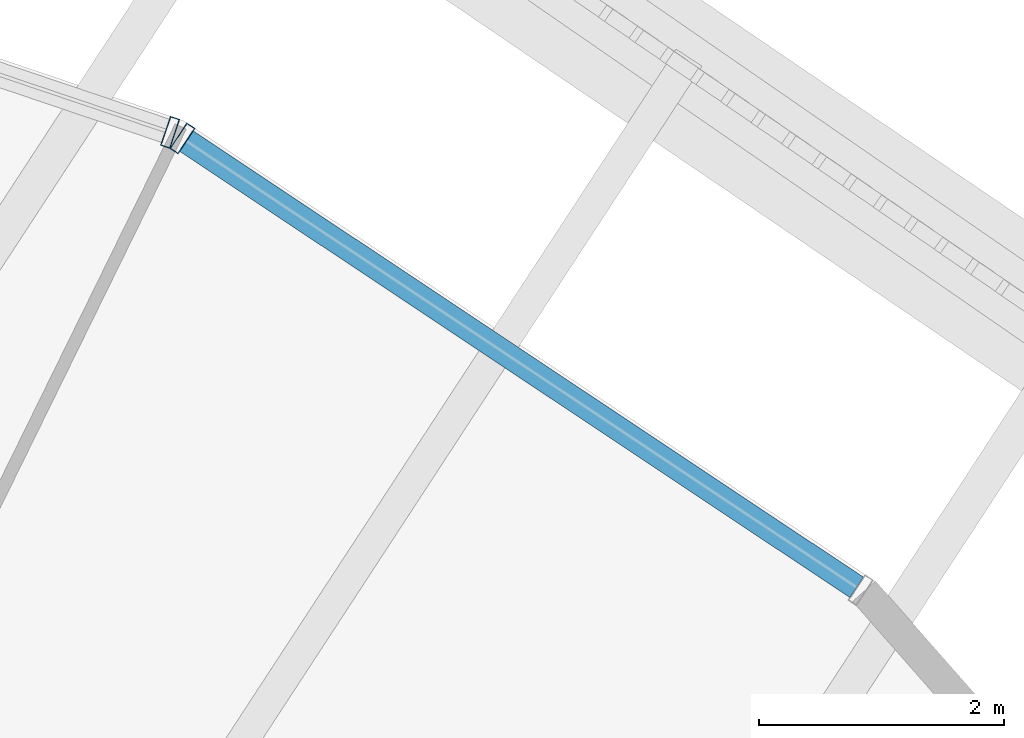
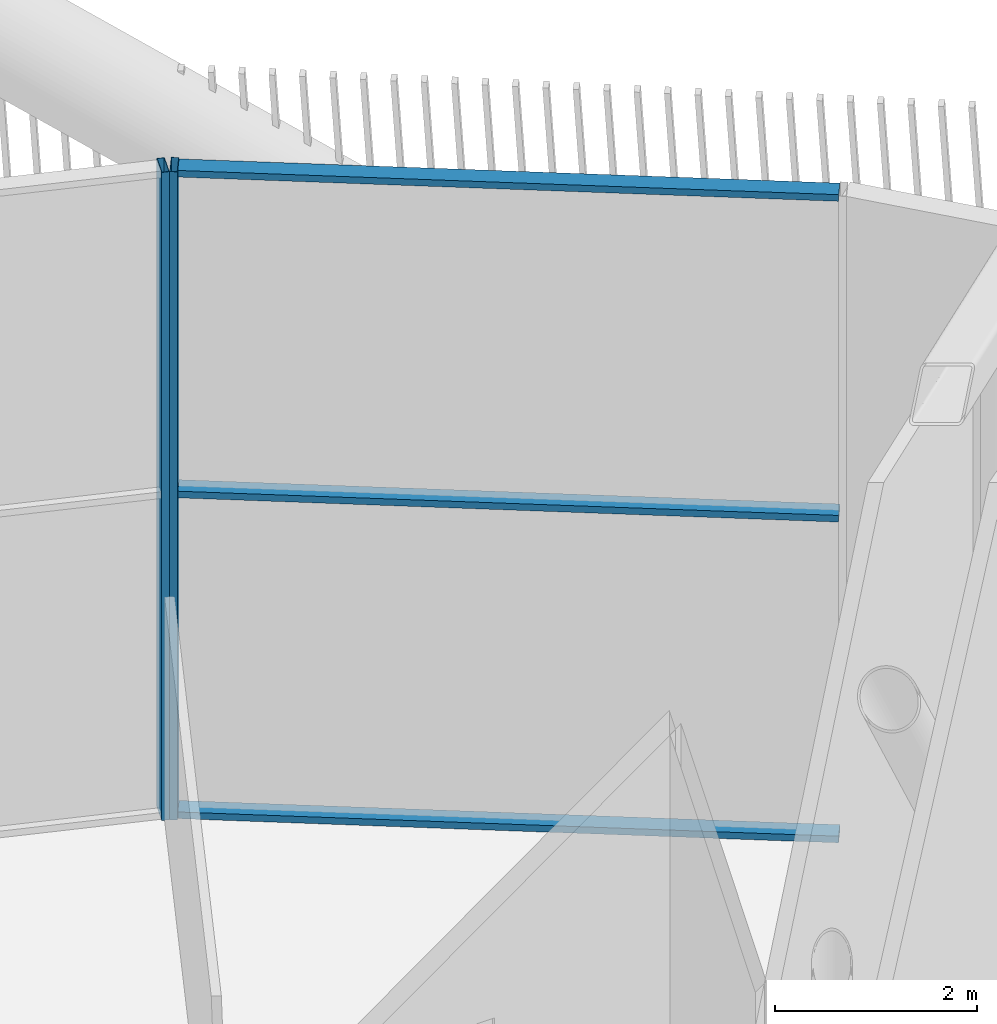
# One storey, part 33 of 63: 5 members, 2 elements without a shape of their own.
"""IFC4 building model written with IfcOpenShell, lengths in metres."""

from ifc_helpers import new_model, si_unit, direction, frame, origin, origin_2d, place, context, subcontext, project, spatial, hollow_rectangle, extrude, material, layer, layer_set, material_profile, profile_set, type_object, element, aggregate, save


model = new_model("IFC4")

# Units and contexts
model_context = context("Model", 3, precision=1e-05, world=origin(), true_north=direction((0.0, 1.0)))
body_context = subcontext(model_context, "Body", "Model", "MODEL_VIEW")
ifc_project = project(units=[si_unit("LENGTHUNIT", "METRE"), si_unit("AREAUNIT", "SQUARE_METRE"), si_unit("VOLUMEUNIT", "CUBIC_METRE"), si_unit("PLANEANGLEUNIT", "RADIAN"), si_unit("MASSUNIT", "GRAM", prefix="KILO")], contexts=[model_context])

# Site, building, storey
site_placement = place(None, origin())
site = spatial("IfcSite", under=ifc_project, at=site_placement, CompositionType="ELEMENT")
building_placement = place(site_placement, origin())
building = spatial("IfcBuilding", under=site, at=building_placement, Name="Tarsis Ring Headquarters", CompositionType="ELEMENT")
storey_placement = place(building_placement, frame((0.0, 0.0, 139.60009765625)))
storey = spatial("IfcBuildingStorey", under=building, at=storey_placement, Name="L32", CompositionType="ELEMENT", Elevation=139.60009765625)

# Curtain wall, member
ifc_material_1 = material(Name="Aluminium curtain wall", Category="aluminium")
ifc_layer = layer(ifc_material_1, 0.25)
ifc_layer_set = layer_set([ifc_layer], Name="Curtain wall sky lobby")
curtain_wall_type = type_object("IfcCurtainWallType", Name="Curtain wall sky lobby", PredefinedType="NOTDEFINED", material=ifc_layer_set)
curtain_wall_1_placement = place(storey_placement, origin())
curtain_wall_1 = element("IfcCurtainWall", 1, at=curtain_wall_1_placement, inside=storey, type_object=curtain_wall_type, Name="Curtain wall L32-26", PredefinedType="NOTDEFINED")
ifc_material_2 = material(Name="Aluminium mullion", Category="aluminium")
ifc_material_profile_1 = material_profile(ifc_material_2, hollow_rectangle(XDim=0.25, YDim=0.080078125, WallThickness=0.0048828125, at=origin_2d()), Name="RHS 250x80x5")
ifc_profile_set_1 = profile_set([ifc_material_profile_1], Name="Aluminium mullion")
member_type_1 = type_object("IfcMemberType", Name="Curtain wall mullion sky lobby RHS 250x80x5", PredefinedType="MULLION", material=ifc_profile_set_1)
member_1_placement = place(storey_placement, frame((11.454345703125, 23.1923828125, 0.0), z_axis=(0.0, 0.0, 1.0), x_axis=(-0.554263440719, -0.832341299157, 0.0)))
member_1 = element("IfcMember", 2, at=member_1_placement, type_object=member_type_1, Name="CW-S mullion 2", PredefinedType="MULLION", context=body_context, shape_type="SweptSolid", body=[
    extrude(hollow_rectangle(XDim=0.25, YDim=0.080078125, WallThickness=0.0048828125, at=origin_2d()), origin(), (0.0, 0.0, 1.0), 7.83984375),
])

curtain_wall_2_placement = place(storey_placement, origin())
curtain_wall_2 = element("IfcCurtainWall", 3, at=curtain_wall_2_placement, inside=storey, type_object=curtain_wall_type, Name="Curtain wall L32-27", PredefinedType="NOTDEFINED")
member_2_placement = place(storey_placement, frame((11.353759765625, 23.24169921875, 0.0), z_axis=(0.0, 0.0, 1.0), x_axis=(-0.319951706751, -0.947433852755, 0.0)))
member_2 = element("IfcMember", 4, at=member_2_placement, type_object=member_type_1, Name="CW-S mullion 1", PredefinedType="MULLION", context=body_context, shape_type="SweptSolid", body=[
    extrude(hollow_rectangle(XDim=0.25, YDim=0.080078125, WallThickness=0.0048828125, at=origin_2d()), origin(), (0.0, 0.0, 1.0), 7.83984375),
])
aggregate(curtain_wall_2, [member_2])

# Member
ifc_material_3 = material(Name="Aluminium transom", Category="aluminium")
ifc_material_profile_2 = material_profile(ifc_material_3, hollow_rectangle(XDim=0.199951171875, YDim=0.080078125, WallThickness=0.0048828125, at=origin_2d()), Name="RHS 200x80x5")
ifc_profile_set_2 = profile_set([ifc_material_profile_2], Name="Aluminium transom")
member_type_2 = type_object("IfcMemberType", Name="Curtain wall transom sky lobby RHS 200x80x5", PredefinedType="USERDEFINED", material=ifc_profile_set_2)
member_3_placement = place(storey_placement, frame((16.948974609375, 19.533203125, 0.039794921875), z_axis=(-0.832330674903, 0.554279394905, 0.0), x_axis=(-0.554279394905, -0.832330674903, 0.0)))
member_3 = element("IfcMember", 5, at=member_3_placement, type_object=member_type_2, Name="CW-S transom 1.1", ObjectType="TRANSOM", PredefinedType="USERDEFINED", context=body_context, shape_type="SweptSolid", body=[
    extrude(hollow_rectangle(XDim=0.199951171875, YDim=0.080078125, WallThickness=0.0048828125, at=origin_2d()), origin(), (0.0, 0.0, 1.0), 6.5615234375),
])

member_4_placement = place(storey_placement, frame((16.948974609375, 19.533203125, 3.919921875), z_axis=(-0.832330674903, 0.554279394905, 0.0), x_axis=(-0.554279394905, -0.832330674903, 0.0)))
member_4 = element("IfcMember", 6, at=member_4_placement, type_object=member_type_2, Name="CW-S transom 1.2", ObjectType="TRANSOM", PredefinedType="USERDEFINED", context=body_context, shape_type="SweptSolid", body=[
    extrude(hollow_rectangle(XDim=0.199951171875, YDim=0.080078125, WallThickness=0.0048828125, at=origin_2d()), origin(), (0.0, 0.0, 1.0), 6.5615234375),
])

member_5_placement = place(storey_placement, frame((16.948974609375, 19.533203125, 7.7998046875), z_axis=(-0.832330674903, 0.554279394905, 0.0), x_axis=(-0.554279394905, -0.832330674903, 0.0)))
member_5 = element("IfcMember", 7, at=member_5_placement, type_object=member_type_2, Name="CW-S transom 1.3", ObjectType="TRANSOM", PredefinedType="USERDEFINED", context=body_context, shape_type="SweptSolid", body=[
    extrude(hollow_rectangle(XDim=0.199951171875, YDim=0.080078125, WallThickness=0.0048828125, at=origin_2d()), origin(), (0.0, 0.0, 1.0), 6.5615234375),
])

aggregate(curtain_wall_1, [member_1, member_3, member_4, member_5])

save(model, "model.ifc")
